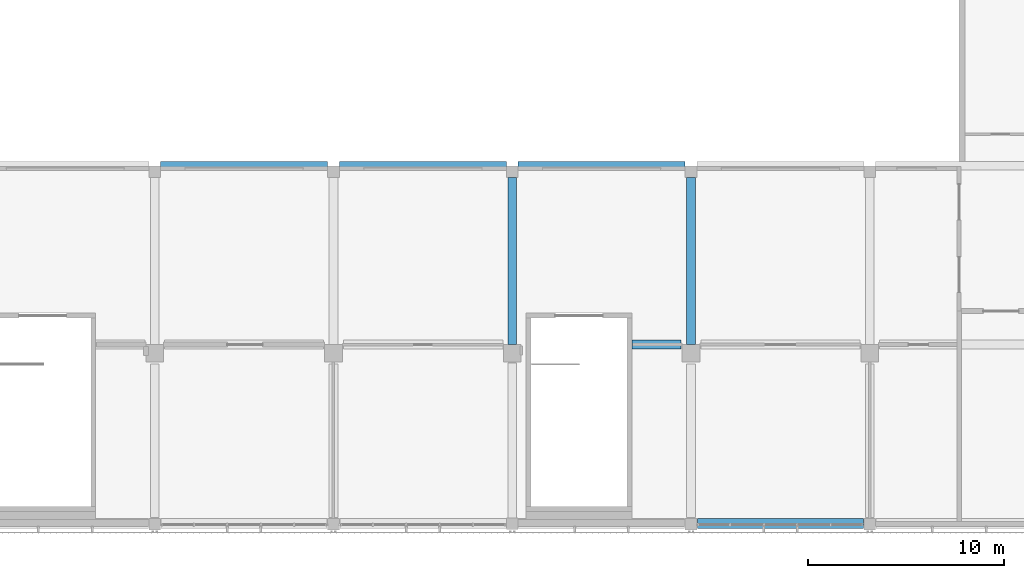
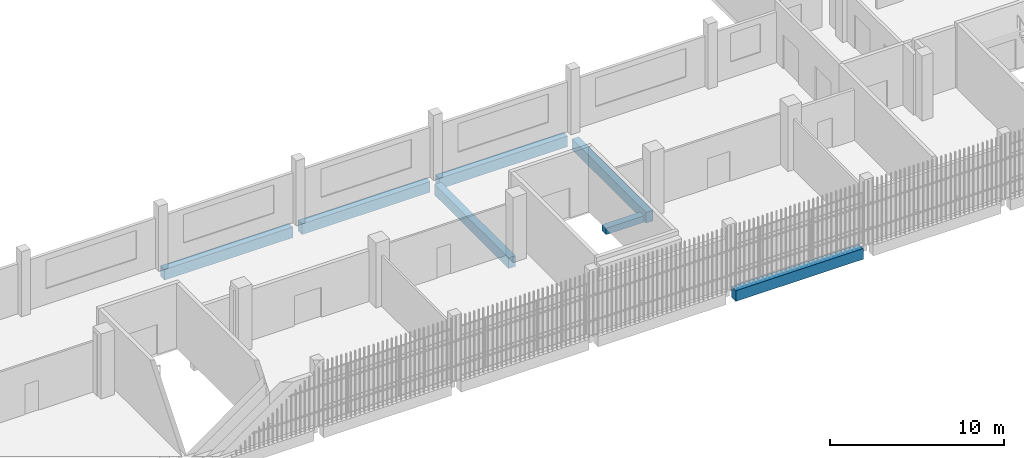
# One storey, part 17 of 104: 7 beams.
"""IFC4 building model written with IfcOpenShell, lengths in metres."""

from ifc_helpers import new_model, si_unit, direction, frame, origin, origin_2d, place, context, subcontext, project, spatial, rectangle, extrude, material, material_profile, profile_set, type_object, element, save


model = new_model("IFC4")

# Units and contexts
model_context = context("Model", 3, precision=1e-05, world=origin(), true_north=direction((0.0, 1.0)))
body_context = subcontext(model_context, "Body", "Model", "MODEL_VIEW")
ifc_project = project(units=[si_unit("LENGTHUNIT", "METRE"), si_unit("AREAUNIT", "SQUARE_METRE"), si_unit("VOLUMEUNIT", "CUBIC_METRE"), si_unit("PLANEANGLEUNIT", "RADIAN"), si_unit("MASSUNIT", "GRAM", prefix="KILO")], contexts=[model_context])

# Site, building, storey
site_placement = place(None, origin())
site = spatial("IfcSite", under=ifc_project, at=site_placement, CompositionType="ELEMENT")
building_placement = place(site_placement, origin())
building = spatial("IfcBuilding", under=site, at=building_placement, Name="Shirokan Park Arena", CompositionType="ELEMENT")
storey_placement = place(building_placement, frame((0.0, 0.0, 10.919921875)))
storey = spatial("IfcBuildingStorey", under=building, at=storey_placement, Name="L02", CompositionType="ELEMENT", Elevation=10.919921875)

# Beams
ifc_material = material(Name="Concrete C35", Category="concrete")
ifc_material_profile_1 = material_profile(ifc_material, rectangle(XDim=0.449951171875, YDim=0.75, at=origin_2d()), Name="450x750")
ifc_profile_set_1 = profile_set([ifc_material_profile_1], Name="Concrete C35")
beam_type_1 = type_object("IfcBeamType", Name="RC girder 450x750", PredefinedType="BEAM", material=ifc_profile_set_1)
beam_1_placement = place(storey_placement, frame((64.0, 18.199951171875, -0.6748046875), z_axis=(1.0, 0.0, 0.0), x_axis=(0.0, 1.0, 0.0)))
element("IfcBeam", 1, at=beam_1_placement, inside=storey, type_object=beam_type_1, Name="Girder 8C-9C L02", PredefinedType="BEAM", context=body_context, shape_type="SweptSolid", body=[
    extrude(rectangle(XDim=0.449951171875, YDim=0.75, at=origin_2d()), origin(), (0.0, 0.0, 1.0), 8.5),
])
for number, where, z_axis, x_axis, name in (
    (2, (73.10009765625, 18.199951171875, -0.6748046875), (1.0, 0.0, 0.0), (0.0, 1.0, 0.0), "Girder 9C-10C L02"),
    (3, (82.2001953125, 18.199951171875, -0.6748046875), (1.0, 0.0, 0.0), (0.0, 1.0, 0.0), "Girder 10C-11C L02"),
    (4, (81.89990234375, 9.10009765625, -0.6748046875), (0.0, 1.0, 0.0), (-1.0, 0.0, 0.0), "Girder 10B-10C L02"),
    (5, (91.0, 9.10009765625, -0.6748046875), (0.0, 1.0, 0.0), (-1.0, 0.0, 0.0), "Girder 11B-11C L02"),
):
    element("IfcBeam", number, at=place(storey_placement, frame(where, z_axis=z_axis, x_axis=x_axis)), inside=storey, type_object=beam_type_1, Name=name, PredefinedType="BEAM", context=body_context, shape_type="SweptSolid", body=[
        extrude(rectangle(XDim=0.449951171875, YDim=0.75, at=origin_2d()), origin(), (0.0, 0.0, 1.0), 8.499755859375),
    ])
ifc_material_profile_2 = material_profile(ifc_material, rectangle(XDim=0.5, YDim=0.75, at=origin_2d()), Name="500x750")
ifc_profile_set_2 = profile_set([ifc_material_profile_2], Name="Concrete C35")
beam_type_2 = type_object("IfcBeamType", Name="RC girder 500x750", PredefinedType="BEAM", material=ifc_profile_set_2)
beam_2_placement = place(storey_placement, frame((91.3251953125, 0.0, -0.6748046875), z_axis=(1.0, 0.0, 0.0), x_axis=(0.0, 1.0, 0.0)))
element("IfcBeam", 6, at=beam_2_placement, inside=storey, type_object=beam_type_2, Name="Girder 11A-12A L02", PredefinedType="BEAM", context=body_context, shape_type="SweptSolid", body=[
    extrude(rectangle(XDim=0.5, YDim=0.75, at=origin_2d()), origin(), (0.0, 0.0, 1.0), 8.44970703125),
])
ifc_material_profile_3 = material_profile(ifc_material, rectangle(XDim=0.449951171875, YDim=0.449951171875, at=origin_2d()), Name="450x450")
ifc_profile_set_3 = profile_set([ifc_material_profile_3], Name="Concrete C35")
beam_type_3 = type_object("IfcBeamType", Name="RC trimmer 450x450", PredefinedType="BEAM", material=ifc_profile_set_3)
beam_3_placement = place(storey_placement, frame((88.0, 9.10009765625, -0.52490234375), z_axis=(1.0, 0.0, 0.0), x_axis=(0.0, 1.0, 0.0)))
element("IfcBeam", 7, at=beam_3_placement, inside=storey, type_object=beam_type_3, Name="Girder 10B-11B L02", PredefinedType="BEAM", context=body_context, shape_type="SweptSolid", body=[
    extrude(rectangle(XDim=0.449951171875, YDim=0.449951171875, at=origin_2d()), origin(), (0.0, 0.0, 1.0), 2.5),
])

save(model, "model.ifc")
